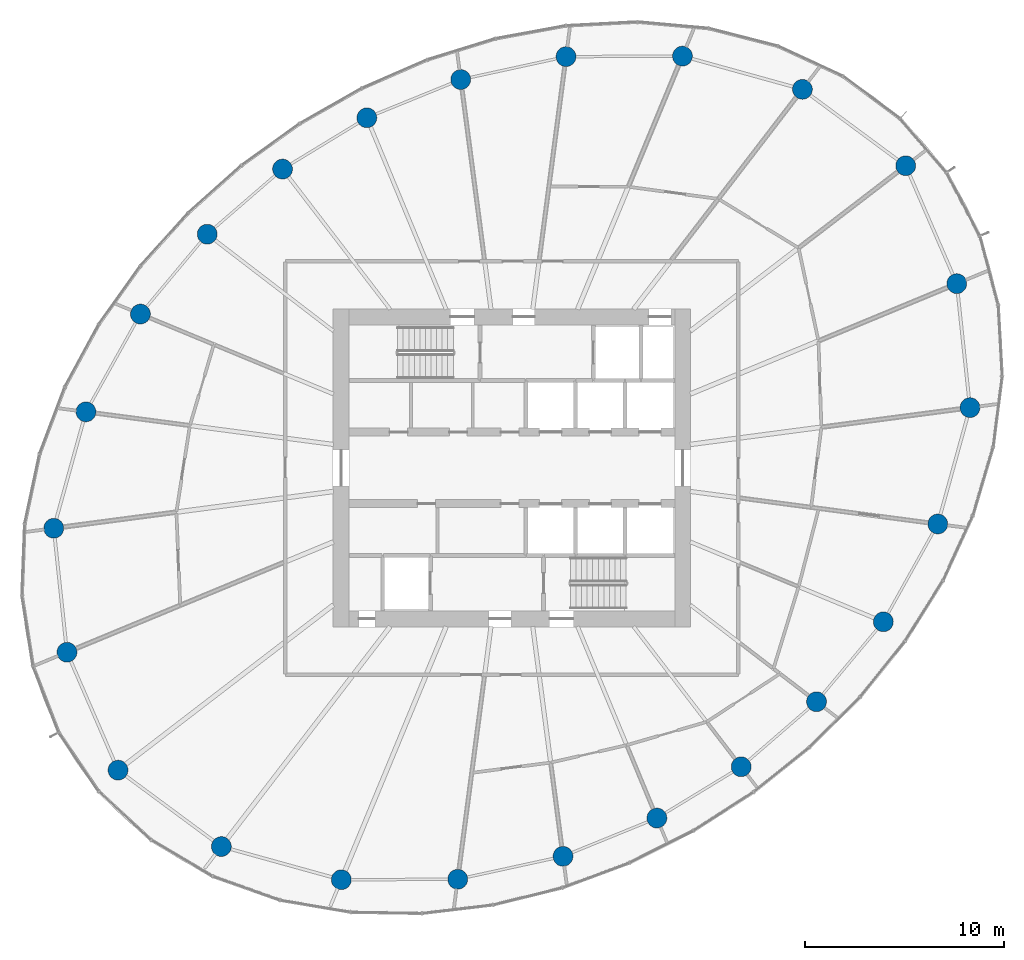
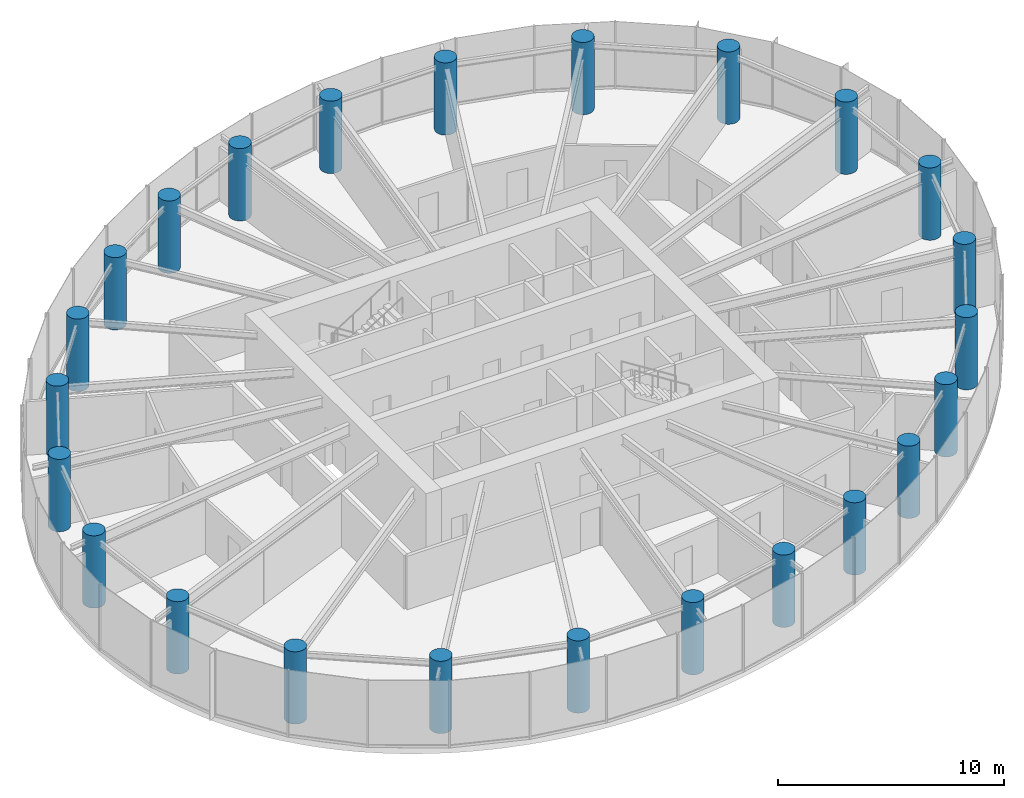
# One storey, part 1 of 14: 24 columns.
"""IFC4 building model written with IfcOpenShell, lengths in metres."""

from ifc_helpers import new_model, si_unit, direction, frame, origin, origin_2d, place, context, subcontext, project, spatial, circle, extrude, source, transform, mapped, material, material_profile, profile_set, type_object, element, save


model = new_model("IFC4")

# Units and contexts
model_context = context("Model", 3, precision=1e-05, world=origin(), true_north=direction((0.0, 1.0)))
body_context = subcontext(model_context, "Body", "Model", "MODEL_VIEW")
ifc_project = project(units=[si_unit("LENGTHUNIT", "METRE"), si_unit("AREAUNIT", "SQUARE_METRE"), si_unit("VOLUMEUNIT", "CUBIC_METRE"), si_unit("PLANEANGLEUNIT", "RADIAN"), si_unit("MASSUNIT", "GRAM", prefix="KILO")], contexts=[model_context])

# Site, building, storey
site_placement = place(None, origin())
site = spatial("IfcSite", under=ifc_project, at=site_placement, CompositionType="ELEMENT")
building_placement = place(site_placement, origin())
building = spatial("IfcBuilding", under=site, at=building_placement, Name="Spindrift Exchange Tower", CompositionType="ELEMENT")
storey_placement = place(building_placement, frame((0.0, 0.0, 144.800048828125)))
storey = spatial("IfcBuildingStorey", under=building, at=storey_placement, Name="L34", CompositionType="ELEMENT", Elevation=144.800048828125)

# Columns
ifc_material = material(Name="Concrete 50 MPa", Category="concrete")
ifc_material_profile = material_profile(ifc_material, circle(Radius=0.5, at=origin_2d()), Name="RC D1000")
ifc_profile_set = profile_set([ifc_material_profile], Name="Concrete 50 MPa")
column_type = type_object("IfcColumnType", Name="RC Perimeter Column D1000 Concrete 50 MPa", PredefinedType="COLUMN", material=ifc_profile_set)
shared_shape = source(origin(), body_context, "Body", "SweptSolid", [
    extrude(circle(Radius=0.5, at=origin_2d()), origin(), (0.0, 0.0, 1.0), 3.89990234375),
])
for number, where, z_axis, x_axis, name in (
    (1, (75.06201171875, 51.0361328125, 0.0), (0.0, 0.0, 1.0), (1.0, 0.0, 0.0), "Perimeter column P3-01 L34"),
    (2, (74.396728515625, 57.277099609375, 0.0), (0.0, 0.0, 1.0), (1.0, 0.0, 0.0), "Perimeter column P3-02 L34"),
    (3, (71.825927734375, 63.212890625, 0.0), (0.0, 0.0, 1.0), (1.0, 0.0, 0.0), "Perimeter column P3-03 L34"),
    (4, (66.625, 67.0595703125, 0.0), (0.0, 0.0, 1.0), (1.0, 0.0, 0.0), "Perimeter column P3-04 L34"),
    (5, (60.5869140625, 68.73095703125, 0.0), (0.0, 0.0, 1.0), (1.0, 0.0, 0.0), "Perimeter column P3-05 L34"),
    (6, (54.725830078125, 68.705322265625, 0.0), (0.0, 0.0, 1.0), (1.0, 0.0, 0.0), "Perimeter column P3-06 L34"),
    (7, (49.426025390625, 67.55126953125, 0.0), (0.0, 0.0, 1.0), (1.0, 0.0, 0.0), "Perimeter column P3-07 L34"),
    (8, (44.69921875, 65.625732421875, 0.0), (0.0, 0.0, 1.0), (1.0, 0.0, 0.0), "Perimeter column P3-08 L34"),
    (9, (40.4560546875, 63.04443359375, 0.0), (0.0, 0.0, 1.0), (1.0, 0.0, 0.0), "Perimeter column P3-09 L34"),
    (10, (36.663818359375, 59.76806640625, 0.0), (0.0, 0.0, 1.0), (1.0, 0.0, 0.0), "Perimeter column P3-10 L34"),
    (11, (33.30078125, 55.74560546875, 0.0), (0.0, 0.0, 1.0), (1.0, 0.0, 0.0), "Perimeter column P3-11 L34"),
    (12, (30.55908203125, 50.82275390625, 0.0), (0.0, 0.0, 1.0), (1.0, 0.0, 0.0), "Perimeter column P3-12 L34"),
    (13, (28.93798828125, 44.9638671875, 0.0), (0.0, 0.0, 1.0), (1.0, 0.0, 0.0), "Perimeter column P3-13 L34"),
    (14, (29.603271484375, 38.722900390625, 0.0), (0.0, 0.0, 1.0), (1.0, 0.0, 0.0), "Perimeter column P3-14 L34"),
    (15, (32.174072265625, 32.787109375, 0.0), (0.0, 0.0, 1.0), (1.0, 0.0, 0.0), "Perimeter column P3-15 L34"),
    (16, (37.375, 28.9404296875, 0.0), (0.0, 0.0, 1.0), (1.0, 0.0, 0.0), "Perimeter column P3-16 L34"),
    (17, (43.4130859375, 27.26904296875, 0.0), (0.0, 0.0, 1.0), (1.0, 0.0, 0.0), "Perimeter column P3-17 L34"),
    (18, (49.274169921875, 27.294677734375, 0.0), (0.0, 0.0, 1.0), (1.0, 0.0, 0.0), "Perimeter column P3-18 L34"),
    (19, (54.573974609375, 28.44873046875, 0.0), (0.0, 0.0, 1.0), (1.0, 0.0, 0.0), "Perimeter column P3-19 L34"),
    (20, (59.30078125, 30.374267578125, 0.0), (0.0, 0.0, 1.0), (1.0, 0.0, 0.0), "Perimeter column P3-20 L34"),
    (21, (63.5439453125, 32.95556640625, 0.0), (0.0, 0.0, 1.0), (1.0, 0.0, 0.0), "Perimeter column P3-21 L34"),
    (22, (67.336181640625, 36.23193359375, 0.0), (0.0, 0.0, 1.0), (1.0, 0.0, 0.0), "Perimeter column P3-22 L34"),
    (23, (70.69921875, 40.25439453125, 0.0), (0.0, 0.0, 1.0), (1.0, 0.0, 0.0), "Perimeter column P3-23 L34"),
    (24, (73.44091796875, 45.17724609375, 0.0), (0.0, 0.0, 1.0), (1.0, 0.0, 0.0), "Perimeter column P3-24 L34"),
):
    element("IfcColumn", number, at=place(storey_placement, frame(where, z_axis=z_axis, x_axis=x_axis)), inside=storey, type_object=column_type, Name=name, PredefinedType="COLUMN", context=body_context, shape_type="MappedRepresentation", body=[
        mapped(shared_shape, transform((0.0, 0.0, 0.0), scale=1.0)),
    ])

save(model, "model.ifc")
